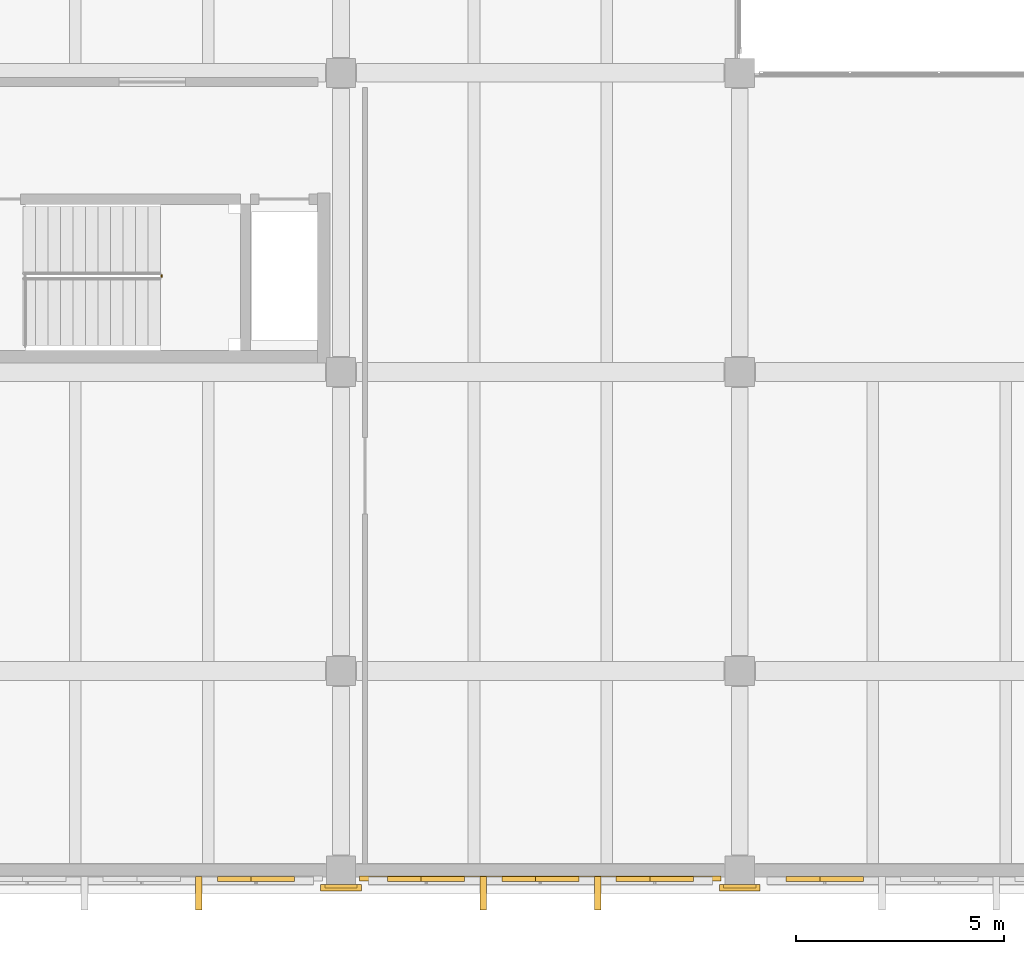
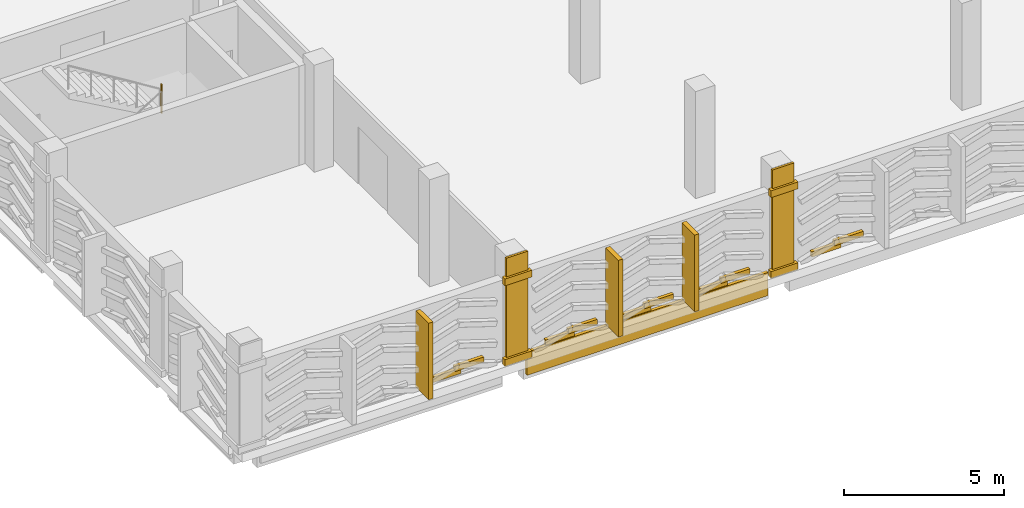
# One storey, part 166 of 180: 20 coverings, 1 railing.
"""IFC4 building model written with IfcOpenShell, lengths in metres."""

import ifcopenshell
import ifcopenshell.guid

model = None  # the IFC model being written
_history = None  # IfcOwnerHistory: only IFC2X3 demands one
_inside = {}  # id of a spatial element -> (the spatial element, [elements in it])
_under = {}  # id of a project, library or spatial element -> (it, [spatial elements below it])
_declared = {}  # id of a project -> (the project, [libraries it declares])
_typed = {}  # id of a type object -> (the type object, [elements of that type])
_made_of = {}  # id of a material, layer set ... -> (it, [elements and type objects made of it])


def new_model(schema):
    """Start an empty IFC model of exactly this schema.

    Asked for "IFC4X3", IfcOpenShell would pick the latest addendum, in which some entities
    have other attributes; the version numbers below select the first issue.
    IFC2X3 requires an IfcOwnerHistory on every rooted entity: one is made here for all.
    """
    global model, _history
    if schema == "IFC4X3":
        model = ifcopenshell.file(schema_version=(4, 3, 0, 0))
    else:
        model = ifcopenshell.file(schema=schema)
    _inside.clear()
    _under.clear()
    _declared.clear()
    _typed.clear()
    _made_of.clear()
    _history = None
    if model.schema == "IFC2X3":
        org = make("IfcOrganization", Name="unknown")
        user = make(
            "IfcPersonAndOrganization",
            ThePerson=make("IfcPerson", FamilyName="unknown"),
            TheOrganization=org,
        )
        app = make(
            "IfcApplication",
            ApplicationDeveloper=org,
            Version="unknown",
            ApplicationFullName="unknown",
            ApplicationIdentifier="unknown",
        )
        _history = make(
            "IfcOwnerHistory",
            OwningUser=user,
            OwningApplication=app,
            ChangeAction="ADDED",
            CreationDate=0,
        )
    return model


def make(cls, **values):
    """One entity of the class cls with the attributes given. An attribute that is None is left unset."""
    return model.create_entity(
        cls, **{name: value for name, value in values.items() if value is not None}
    )


def rooted(cls, **values):
    """An entity with a GlobalId (a new one), such as an element, a storey or a relation."""
    return make(cls, GlobalId=ifcopenshell.guid.new(), OwnerHistory=_history, **values)


def si_unit(unit_type, name, prefix=None):
    """IfcSIUnit, for example si_unit("LENGTHUNIT", "METRE", prefix="MILLI")."""
    return make("IfcSIUnit", UnitType=unit_type, Prefix=prefix, Name=name)


def assignment(units):
    """IfcUnitAssignment: the units of a project."""
    return None if units is None else make("IfcUnitAssignment", Units=units)


def point(xyz):
    """IfcCartesianPoint."""
    return None if xyz is None else make("IfcCartesianPoint", Coordinates=xyz)


def direction(xyz):
    """IfcDirection."""
    return None if xyz is None else make("IfcDirection", DirectionRatios=xyz)


def frame(location, z_axis=None, x_axis=None):
    """IfcAxis2Placement3D, a coordinate frame: its origin and axes. An axis left out is left unset."""
    return make(
        "IfcAxis2Placement3D",
        Location=point(location),
        Axis=direction(z_axis),
        RefDirection=direction(x_axis),
    )


def frame_2d(location, x_axis=None):
    """IfcAxis2Placement2D, a coordinate frame in the plane: its origin and x axis."""
    return make(
        "IfcAxis2Placement2D", Location=point(location), RefDirection=direction(x_axis)
    )


def origin():
    """The frame at (0, 0, 0) with its axes left unset."""
    return frame((0.0, 0.0, 0.0))


def origin_2d():
    """The frame at (0, 0) in the plane with its x axis left unset."""
    return frame_2d((0.0, 0.0))


def place(relative_to, where):
    """IfcLocalPlacement: puts the frame where relative to a parent placement (None: the world)."""
    return make(
        "IfcLocalPlacement", PlacementRelTo=relative_to, RelativePlacement=where
    )


def context(
    kind, dimensions, precision=None, world=None, true_north=None, identifier=None
):
    """IfcGeometricRepresentationContext, for example the 3D "Model" context."""
    return make(
        "IfcGeometricRepresentationContext",
        ContextIdentifier=identifier,
        ContextType=kind,
        CoordinateSpaceDimension=dimensions,
        Precision=precision,
        WorldCoordinateSystem=world,
        TrueNorth=true_north,
    )


def subcontext(parent, identifier, kind, view, scale=None):
    """IfcGeometricRepresentationSubContext, for example "Body" below "Model"."""
    return make(
        "IfcGeometricRepresentationSubContext",
        ContextIdentifier=identifier,
        ContextType=kind,
        ParentContext=parent,
        TargetScale=scale,
        TargetView=view,
    )


def project(units=None, contexts=None):
    """IfcProject with its units and contexts."""
    return rooted(
        "IfcProject",
        Name="project",
        RepresentationContexts=contexts,
        UnitsInContext=assignment(units),
    )


def spatial(cls, under=None, at=None, **own):
    """A site, building, storey or space (cls), placed at a placement, below another one or the project."""
    s = rooted(cls, ObjectPlacement=at, **own)
    if under is not None:
        _under.setdefault(under.id(), (under, []))[1].append(s)
    return s


def profile(cls, at=None, kind="AREA", **sizes):
    """A parametric profile (cls). Its sizes go by their IFC names, for example OverallWidth=200.0."""
    return make(cls, ProfileType=kind, Position=at, **sizes)


def rectangle(**sizes):
    """IfcRectangleProfileDef."""
    return profile("IfcRectangleProfileDef", **sizes)


def circle(**sizes):
    """IfcCircleProfileDef."""
    return profile("IfcCircleProfileDef", **sizes)


def extrude(swept, where, along, depth):
    """IfcExtrudedAreaSolid: the profile swept, set in the frame where, extruded along a direction by depth."""
    return make(
        "IfcExtrudedAreaSolid",
        SweptArea=swept,
        Position=where,
        ExtrudedDirection=direction(along),
        Depth=depth,
    )


def shape(context_of_items, identifier, shape_type, items):
    """IfcShapeRepresentation: the items that make up one representation, for example the "Body"."""
    return make(
        "IfcShapeRepresentation",
        ContextOfItems=context_of_items,
        RepresentationIdentifier=identifier,
        RepresentationType=shape_type,
        Items=items,
    )


def material(Name=None, Category=None):
    """IfcMaterial."""
    return make("IfcMaterial", Name=Name, Category=Category)


def layer(
    of_material, thickness, ventilated=None, Name=None, Category=None, Priority=None
):
    """IfcMaterialLayer: one layer of a wall or slab, of a material (None: an air gap)."""
    return make(
        "IfcMaterialLayer",
        Material=of_material,
        LayerThickness=thickness,
        IsVentilated=ventilated,
        Name=Name,
        Category=Category,
        Priority=Priority,
    )


def layer_set(layers, Name=None):
    """IfcMaterialLayerSet."""
    return make("IfcMaterialLayerSet", MaterialLayers=layers, LayerSetName=Name)


def made_of(thing, what):
    """Note that an element or type object is made of a material, layer set ...; save() writes the relation."""
    if what is not None:
        _made_of.setdefault(what.id(), (what, []))[1].append(thing)
    return thing


def type_object(cls, material=None, **own):
    """A type object (cls), such as IfcWallType, which elements share."""
    return made_of(rooted(cls, **own), material)


def element(
    cls,
    number,
    at=None,
    inside=None,
    cuts=None,
    type_object=None,
    material=None,
    context=None,
    identifier="Body",
    shape_type=None,
    held_by="IfcProductDefinitionShape",
    body=None,
    shapes=None,
    **own,
):
    """One element of the class cls, such as IfcWall. Its Tag is "e" and its number.

    at: its placement. inside: the storey or other place that contains it. cuts: it is an
    opening in that element (IfcRelVoidsElement). A single representation is given by context,
    identifier, shape_type and body (its items); several are given by shapes. held_by: the class
    of the entity that holds the representations. save() writes the other relations.
    """
    e = rooted(cls, Tag="e%d" % number, ObjectPlacement=at, **own)
    if body is not None:
        shapes = [shape(context, identifier, shape_type, body)]
    if shapes is not None:
        e.Representation = make(held_by, Representations=shapes)
    if inside is not None:
        _inside.setdefault(inside.id(), (inside, []))[1].append(e)
    if cuts is not None:
        rooted(
            "IfcRelVoidsElement", RelatingBuildingElement=cuts, RelatedOpeningElement=e
        )
    if type_object is not None:
        _typed.setdefault(type_object.id(), (type_object, []))[1].append(e)
    return made_of(e, material)


def aggregate(whole, parts):
    """IfcRelAggregates: a whole, such as a stair, and the parts it consists of."""
    return rooted("IfcRelAggregates", RelatingObject=whole, RelatedObjects=parts)


def save(model, path):
    """Write the relations noted so far, then the file.

    IfcRelAggregates (storeys below a building ...), IfcRelContainedInSpatialStructure (elements
    in a storey), IfcRelDefinesByType, IfcRelAssociatesMaterial and IfcRelDeclares: one each for
    every whole, place, type object, material and project.
    """
    for whole, parts in _under.values():
        aggregate(whole, parts)
    for where, things in _inside.values():
        rooted(
            "IfcRelContainedInSpatialStructure",
            RelatedElements=things,
            RelatingStructure=where,
        )
    for kind, things in _typed.values():
        rooted("IfcRelDefinesByType", RelatedObjects=things, RelatingType=kind)
    for what, things in _made_of.values():
        rooted("IfcRelAssociatesMaterial", RelatedObjects=things, RelatingMaterial=what)
    for by, libraries in _declared.values():
        rooted("IfcRelDeclares", RelatingContext=by, RelatedDefinitions=libraries)
    model.write(path)


model = new_model("IFC4")

# Units and contexts
model_context = context("Model", 3, precision=1e-05, world=origin(), true_north=direction((0.0, 1.0)))
body_context = subcontext(model_context, "Body", "Model", "MODEL_VIEW")
ifc_project = project(units=[si_unit("LENGTHUNIT", "METRE"), si_unit("AREAUNIT", "SQUARE_METRE"), si_unit("VOLUMEUNIT", "CUBIC_METRE"), si_unit("PLANEANGLEUNIT", "RADIAN"), si_unit("MASSUNIT", "GRAM", prefix="KILO")], contexts=[model_context])

# Site, building, storey
site_placement = place(None, origin())
site = spatial("IfcSite", under=ifc_project, at=site_placement, CompositionType="ELEMENT")
building_placement = place(site_placement, origin())
building = spatial("IfcBuilding", under=site, at=building_placement, Name="Asteropetra Specialist Clinic", CompositionType="ELEMENT")
storey_placement = place(building_placement, frame((0.0, 0.0, 4.419921875)))
storey = spatial("IfcBuildingStorey", under=building, at=storey_placement, Name="L01", CompositionType="ELEMENT", Elevation=4.419921875)

# Coverings
ifc_material_1 = material(Name="Chevron aegean deep")
ifc_layer_1 = layer(ifc_material_1, 0.1201171875)
ifc_layer_set_1 = layer_set([ifc_layer_1], Name="Chevron aegean deep")
covering_type_1 = type_object("IfcCoveringType", Name="CLD-AEG-DEEP", PredefinedType="CLADDING", material=ifc_layer_set_1)
for number, where, z_axis, x_axis, name in (
    (1, (112.746337890625, -0.21240234375, 0.1201171875), (0.0, 0.0, 1.0), (1.0, 0.0, 0.0), "Chevron Ceramic Band CV-2016"),
    (2, (113.560302734375, -0.21240234375, 0.26025390625), (0.0, 0.0, 1.0), (1.0, 0.0, 0.0), "Chevron Ceramic Band CV-2017"),
):
    element("IfcCovering", number, at=place(storey_placement, frame(where, z_axis=z_axis, x_axis=x_axis)), inside=storey, type_object=covering_type_1, Name=name, PredefinedType="CLADDING", context=body_context, shape_type="SweptSolid", body=[
        extrude(rectangle(XDim=1.0458984375, YDim=0.1201171875, at=origin_2d()), origin(), (0.0, 0.0, 1.0), 0.199951171875),
    ])
covering_1_placement = place(storey_placement, frame((120.0, -0.197509765625, -0.7998046875), z_axis=(0.0, 0.0, 1.0), x_axis=(1.0, 0.0, 0.0)))
element("IfcCovering", 3, at=covering_1_placement, inside=storey, type_object=covering_type_1, Name="Chevron Spandrel Band CV-2025", PredefinedType="CLADDING", context=body_context, shape_type="SweptSolid", body=[
    extrude(rectangle(XDim=8.699951171875, YDim=0.1201171875, at=origin_2d()), origin(), (0.0, 0.0, 1.0), 0.8798828125),
])
for number, where, z_axis, x_axis, name in (
    (4, (116.839599609375, -0.21240234375, 0.1201171875), (0.0, 0.0, 1.0), (1.0, 0.0, 0.0), "Chevron Ceramic Band CV-2026"),
    (5, (117.65380859375, -0.21240234375, 0.26025390625), (0.0, 0.0, 1.0), (1.0, 0.0, 0.0), "Chevron Ceramic Band CV-2027"),
    (6, (119.593017578125, -0.21240234375, 0.1201171875), (0.0, 0.0, 1.0), (1.0, 0.0, 0.0), "Chevron Ceramic Band CV-2028"),
    (7, (120.406982421875, -0.21240234375, 0.26025390625), (0.0, 0.0, 1.0), (1.0, 0.0, 0.0), "Chevron Ceramic Band CV-2029"),
    (8, (122.34619140625, -0.21240234375, 0.1201171875), (0.0, 0.0, 1.0), (1.0, 0.0, 0.0), "Chevron Ceramic Band CV-2030"),
    (9, (123.160400390625, -0.21240234375, 0.26025390625), (0.0, 0.0, 1.0), (1.0, 0.0, 0.0), "Chevron Ceramic Band CV-2031"),
    (10, (126.439697265625, -0.21240234375, 0.1201171875), (0.0, 0.0, 1.0), (1.0, 0.0, 0.0), "Chevron Ceramic Band CV-2032"),
    (11, (127.253662109375, -0.21240234375, 0.26025390625), (0.0, 0.0, 1.0), (1.0, 0.0, 0.0), "Chevron Ceramic Band CV-2033"),
):
    element("IfcCovering", number, at=place(storey_placement, frame(where, z_axis=z_axis, x_axis=x_axis)), inside=storey, type_object=covering_type_1, Name=name, PredefinedType="CLADDING", context=body_context, shape_type="SweptSolid", body=[
        extrude(rectangle(XDim=1.0458984375, YDim=0.1201171875, at=origin_2d()), origin(), (0.0, 0.0, 1.0), 0.199951171875),
    ])
ifc_material_2 = material(Name="Pentelic marble ashlar", Category="masonry")
ifc_layer_2 = layer(ifc_material_2, 0.159912109375)
ifc_layer_set_2 = layer_set([ifc_layer_2], Name="Pentelic marble ashlar")
covering_type_2 = type_object("IfcCoveringType", Name="CRN-ENTAB-600", PredefinedType="MOLDING", material=ifc_layer_set_2)
covering_2_placement = place(storey_placement, frame((115.199951171875, -0.382080078125, 0.02001953125), z_axis=(0.0, 0.0, 1.0), x_axis=(1.0, 0.0, 0.0)))
element("IfcCovering", 12, at=covering_2_placement, inside=storey, type_object=covering_type_2, Name="Neoclassical Pilaster Facing CM-1049", PredefinedType="MOLDING", context=body_context, shape_type="SweptSolid", body=[
    extrude(rectangle(XDim=0.780029296875, YDim=0.080078125, at=origin_2d()), origin(), (0.0, 0.0, 1.0), 4.0400390625),
])
for number, where, z_axis, x_axis, name in (
    (13, (115.199951171875, -0.422119140625, 0.01025390625), (0.0, 0.0, 1.0), (1.0, 0.0, 0.0), "Doric Base CC-1050"),
    (14, (115.199951171875, -0.422119140625, 3.08984375), (0.0, 0.0, 1.0), (1.0, 0.0, 0.0), "Doric Capital CC-1051"),
):
    element("IfcCovering", number, at=place(storey_placement, frame(where, z_axis=z_axis, x_axis=x_axis)), inside=storey, type_object=covering_type_2, Name=name, PredefinedType="MOLDING", context=body_context, shape_type="SweptSolid", body=[
        extrude(rectangle(XDim=0.97998046875, YDim=0.159912109375, at=origin_2d()), origin(), (0.0, 0.0, 1.0), 0.260009765625),
    ])
covering_3_placement = place(storey_placement, frame((124.800048828125, -0.382080078125, 0.02001953125), z_axis=(0.0, 0.0, 1.0), x_axis=(1.0, 0.0, 0.0)))
element("IfcCovering", 15, at=covering_3_placement, inside=storey, type_object=covering_type_2, Name="Neoclassical Pilaster Facing CM-1055", PredefinedType="MOLDING", context=body_context, shape_type="SweptSolid", body=[
    extrude(rectangle(XDim=0.780029296875, YDim=0.080078125, at=origin_2d()), origin(), (0.0, 0.0, 1.0), 4.0400390625),
])
for number, where, z_axis, x_axis, name in (
    (16, (124.800048828125, -0.422119140625, 0.01025390625), (0.0, 0.0, 1.0), (1.0, 0.0, 0.0), "Doric Base CC-1056"),
    (17, (124.800048828125, -0.422119140625, 3.08984375), (0.0, 0.0, 1.0), (1.0, 0.0, 0.0), "Doric Capital CC-1057"),
):
    element("IfcCovering", number, at=place(storey_placement, frame(where, z_axis=z_axis, x_axis=x_axis)), inside=storey, type_object=covering_type_2, Name=name, PredefinedType="MOLDING", context=body_context, shape_type="SweptSolid", body=[
        extrude(rectangle(XDim=0.97998046875, YDim=0.159912109375, at=origin_2d()), origin(), (0.0, 0.0, 1.0), 0.260009765625),
    ])
ifc_material_3 = material(Name="Pentelic marble solar fin", Category="masonry")
ifc_layer_3 = layer(ifc_material_3, 0.080078125)
ifc_layer_set_3 = layer_set([ifc_layer_3], Name="Pentelic marble solar fin")
covering_type_3 = type_object("IfcCoveringType", Name="FIN-SOLAR-800", PredefinedType="MOLDING", material=ifc_layer_set_3)
for number, where, z_axis, x_axis, name in (
    (18, (111.776611328125, -0.552490234375, 0.070068359375), (0.0, 0.0, 1.0), (1.0, 0.0, 0.0), "Solar Shading Fin FN-0149"),
    (19, (118.623291015625, -0.552490234375, 0.070068359375), (0.0, 0.0, 1.0), (1.0, 0.0, 0.0), "Solar Shading Fin FN-0152"),
    (20, (121.376708984375, -0.552490234375, 0.070068359375), (0.0, 0.0, 1.0), (1.0, 0.0, 0.0), "Solar Shading Fin FN-0153"),
):
    element("IfcCovering", number, at=place(storey_placement, frame(where, z_axis=z_axis, x_axis=x_axis)), inside=storey, type_object=covering_type_3, Name=name, PredefinedType="MOLDING", context=body_context, shape_type="SweptSolid", body=[
        extrude(rectangle(XDim=0.159912109375, YDim=0.800048828125, at=origin_2d()), origin(), (0.0, 0.0, 1.0), 2.919921875),
    ])

# Railing
ifc_material_4 = material(Name="Steel S355 and laminated glass guard", Category="steel")
railing_type = type_object("IfcRailingType", Name="GRD-INT-1120", PredefinedType="GUARDRAIL", material=ifc_material_4)
railing_placement = place(storey_placement, frame((110.8798828125, 14.2900390625, 2.0400390625)))
element("IfcRailing", 21, at=railing_placement, inside=storey, type_object=railing_type, Name="Landing Slot Guard ST08-L01", PredefinedType="GUARDRAIL", context=body_context, shape_type="SweptSolid", body=[
    extrude(circle(Radius=0.02392578125, at=origin_2d()), frame((0.0, 0.0, 1.09619140625), z_axis=(0.0, 1.0, 0.0), x_axis=(-1.0, 0.0, 0.0)), (0.0, 0.0, 1.0), 0.0400390625),
    extrude(circle(Radius=0.02099609375, at=origin_2d()), origin(), (0.0, 0.0, 1.0), 1.072021484375),
    extrude(circle(Radius=0.02099609375, at=origin_2d()), frame((0.0, 0.0400390625, 0.0)), (0.0, 0.0, 1.0), 1.072021484375),
])

save(model, "model.ifc")
